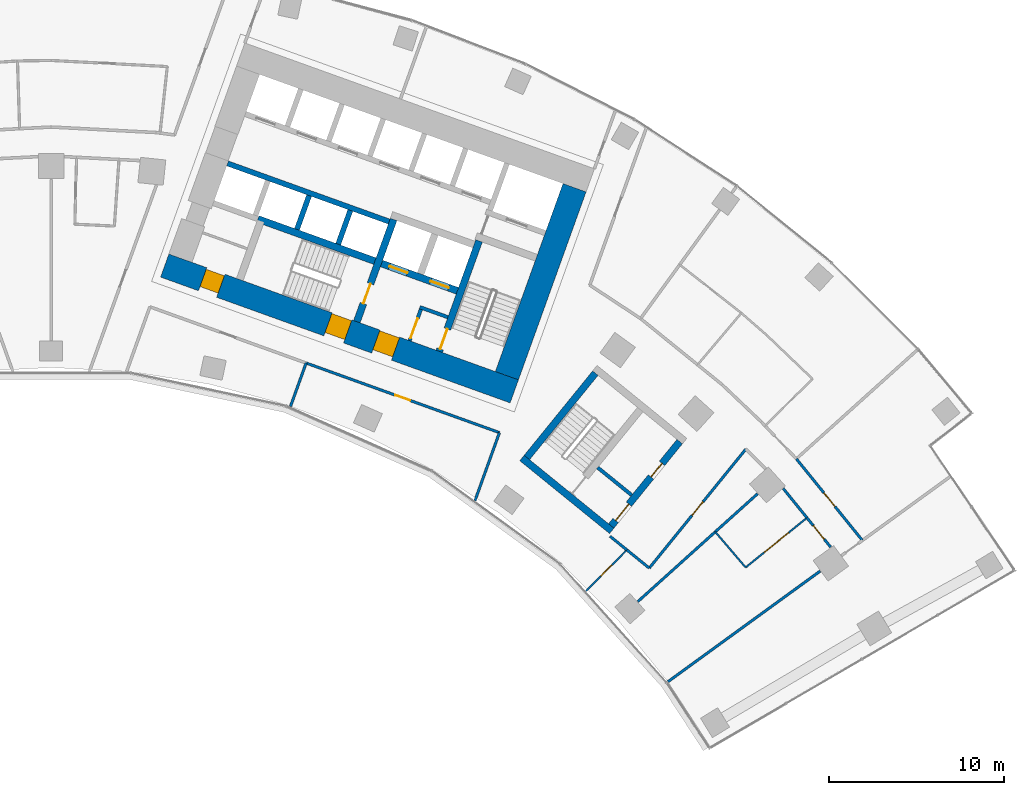
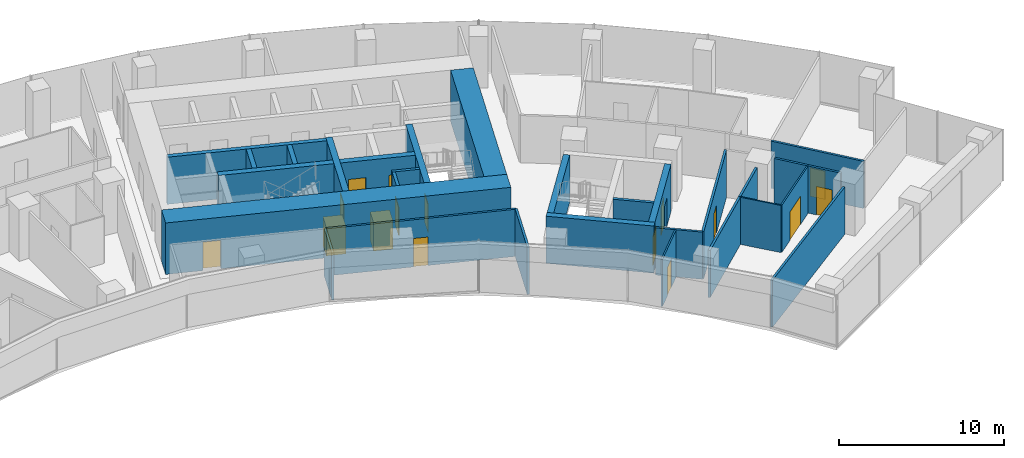
# One storey, part 17 of 21: 29 walls, 16 doors, 16 openings.
"""IFC4 building model written with IfcOpenShell, lengths in metres."""

from ifc_helpers import new_model, si_unit, direction, frame, frame_2d, origin, place, context, subcontext, project, spatial, rectangle, extrude, material, layer, layer_set, type_object, element, fill, save


model = new_model("IFC4")

# Units and contexts
model_context = context("Model", 3, precision=1e-05, world=origin(), true_north=direction((0.0, 1.0)))
body_context = subcontext(model_context, "Body", "Model", "MODEL_VIEW")
ifc_project = project(units=[si_unit("LENGTHUNIT", "METRE"), si_unit("AREAUNIT", "SQUARE_METRE"), si_unit("VOLUMEUNIT", "CUBIC_METRE"), si_unit("PLANEANGLEUNIT", "RADIAN"), si_unit("MASSUNIT", "GRAM", prefix="KILO")], contexts=[model_context])

# Site, building, storey
site_placement = place(None, origin())
site = spatial("IfcSite", under=ifc_project, at=site_placement, CompositionType="ELEMENT")
building_placement = place(site_placement, origin())
building = spatial("IfcBuilding", under=site, at=building_placement, Name="Stone Belt Terrace Tower", CompositionType="ELEMENT")
storey_placement = place(building_placement, frame((0.0, 0.0, 94.60009765625)))
storey = spatial("IfcBuildingStorey", under=building, at=storey_placement, Name="L22", CompositionType="ELEMENT", Elevation=94.60009765625)

# Wall, openings, doors
ifc_material_1 = material(Name="Concrete B80", Category="concrete")
ifc_layer_1 = layer(ifc_material_1, 1.39990234375)
ifc_layer_set_1 = layer_set([ifc_layer_1], Name="Core wall 1400 B80")
wall_type_1 = type_object("IfcWallType", Name="Core wall 1400 B80", PredefinedType="SHEAR", material=ifc_layer_set_1)
wall_1_placement = place(storey_placement, frame((6.4833984375, 49.318115234375, 0.0), z_axis=(0.0, 0.0, 1.0), x_axis=(0.940923374003, -0.33861955681, 0.0)))
wall_1 = element("IfcWall", 1, at=wall_1_placement, inside=storey, type_object=wall_type_1, Name="Core B wall concave L22", PredefinedType="SHEAR", context=body_context, shape_type="SweptSolid", body=[
    extrude(rectangle(XDim=21.199951171875, YDim=1.39990234375, at=frame_2d((10.60009765625, 0.0))), origin(), (0.0, 0.0, 1.0), 3.7998046875),
])
opening_1_placement = place(wall_1_placement, frame((12.800048828125, 0.0, 0.0)))
opening_1 = element("IfcOpeningElement", 2, at=opening_1_placement, cuts=wall_1, Name="Opening L22-C14", PredefinedType="OPENING", context=body_context, shape_type="SweptSolid", body=[
    extrude(rectangle(XDim=1.199951171875, YDim=2.10009765625, at=frame_2d((0.60009765625, 1.050048828125))), frame((0.0, 0.7099609375, 0.0), z_axis=(0.0, -1.0, 0.0), x_axis=(1.0, 0.0, 0.0)), (0.0, 0.0, 1.0), 1.419921875),
])
opening_2_placement = place(wall_1_placement, frame((9.89990234375, 0.0, 0.0)))
opening_2 = element("IfcOpeningElement", 3, at=opening_2_placement, cuts=wall_1, Name="Opening L22-C16", PredefinedType="OPENING", context=body_context, shape_type="SweptSolid", body=[
    extrude(rectangle(XDim=1.199951171875, YDim=2.10009765625, at=frame_2d((0.60009765625, 1.050048828125))), frame((0.0, 0.7099609375, 0.0), z_axis=(0.0, -1.0, 0.0), x_axis=(1.0, 0.0, 0.0)), (0.0, 0.0, 1.0), 1.419921875),
])
opening_3_placement = place(wall_1_placement, frame((2.300048828125, 0.0, 0.0)))
opening_3 = element("IfcOpeningElement", 4, at=opening_3_placement, cuts=wall_1, Name="Opening L22-C18", PredefinedType="OPENING", context=body_context, shape_type="SweptSolid", body=[
    extrude(rectangle(XDim=1.10009765625, YDim=2.10009765625, at=frame_2d((0.550048828125, 1.050048828125))), frame((0.0, 0.7099609375, 0.0), z_axis=(0.0, -1.0, 0.0), x_axis=(1.0, 0.0, 0.0)), (0.0, 0.0, 1.0), 1.419921875),
])
ifc_material_2 = material(Name="Timber door leaf", Category="wood")
door_type_1 = type_object("IfcDoorType", Name="Core room door 1100", OperationType="SINGLE_SWING_LEFT", PredefinedType="DOOR", material=ifc_material_2)
door_1_placement = place(opening_3_placement, origin())
door_1 = element("IfcDoor", 5, at=door_1_placement, inside=storey, type_object=door_type_1, Name="Door to Cleaner's store core B", OperationType="SINGLE_SWING_RIGHT", OverallHeight=2.10009765625, OverallWidth=1.10009765625, PredefinedType="DOOR", context=body_context, shape_type="SweptSolid", body=[
    extrude(rectangle(XDim=1.10009765625, YDim=2.10009765625, at=frame_2d((0.550048828125, 1.050048828125))), frame((0.0, 0.60498046875, 0.0), z_axis=(0.0, -1.0, 0.0), x_axis=(1.0, 0.0, 0.0)), (0.0, 0.0, 1.0), 1.050048828125),
])
fill(opening_3, door_1)
ifc_material_3 = material(Name="Steel door leaf", Category="steel")
door_type_2 = type_object("IfcDoorType", Name="Fire-fighting lobby door 1200", OperationType="SINGLE_SWING_LEFT", PredefinedType="DOOR", material=ifc_material_3)
door_2_placement = place(opening_1_placement, origin())
door_2 = element("IfcDoor", 6, at=door_2_placement, inside=storey, type_object=door_type_2, Name="Fire-fighting lobby door core B", OperationType="SINGLE_SWING_RIGHT", OverallHeight=2.10009765625, OverallWidth=1.199951171875, PredefinedType="DOOR", context=body_context, shape_type="SweptSolid", body=[
    extrude(rectangle(XDim=1.199951171875, YDim=2.10009765625, at=frame_2d((0.60009765625, 1.050048828125))), frame((0.0, 0.655029296875, 0.0), z_axis=(0.0, -1.0, 0.0), x_axis=(1.0, 0.0, 0.0)), (0.0, 0.0, 1.0), 1.14990234375),
])
fill(opening_1, door_2)
door_type_3 = type_object("IfcDoorType", Name="Stair door 1200", OperationType="SINGLE_SWING_LEFT", PredefinedType="DOOR", material=ifc_material_3)
door_3_placement = place(opening_2_placement, origin())
door_3 = element("IfcDoor", 7, at=door_3_placement, inside=storey, type_object=door_type_3, Name="Stair 2 exit door core B", OperationType="SINGLE_SWING_LEFT", OverallHeight=2.10009765625, OverallWidth=1.199951171875, PredefinedType="DOOR", context=body_context, shape_type="SweptSolid", body=[
    extrude(rectangle(XDim=1.199951171875, YDim=2.10009765625, at=frame_2d((0.60009765625, 1.050048828125))), frame((0.0, 0.655029296875, 0.0), z_axis=(0.0, -1.0, 0.0), x_axis=(1.0, 0.0, 0.0)), (0.0, 0.0, 1.0), 1.14990234375),
])
fill(opening_2, door_3)

# Walls
wall_2_placement = place(storey_placement, frame((26.00927734375, 43.03515625, 0.0), z_axis=(0.0, 0.0, 1.0), x_axis=(0.338625431531, 0.940921259788, 0.0)))
element("IfcWall", 8, at=wall_2_placement, inside=storey, type_object=wall_type_1, Name="Core B wall end_b L22", PredefinedType="SHEAR", context=body_context, shape_type="SweptSolid", body=[
    extrude(rectangle(XDim=11.400146484375, YDim=1.39990234375, at=frame_2d((5.7001953125, 0.0))), origin(), (0.0, 0.0, 1.0), 3.7998046875),
])
ifc_layer_2 = layer(ifc_material_1, 0.300048828125)
ifc_layer_set_2 = layer_set([ifc_layer_2], Name="Lift shaft wall 300")
wall_type_2 = type_object("IfcWallType", Name="Lift shaft wall 300", PredefinedType="SHEAR", material=ifc_layer_set_2)
wall_3_placement = place(storey_placement, frame((19.29052734375, 51.829833984375, 0.0), z_axis=(0.0, 0.0, 1.0), x_axis=(-0.940925833398, 0.338612722803, 0.0)))
element("IfcWall", 9, at=wall_3_placement, inside=storey, type_object=wall_type_2, Name="Core B wall", PredefinedType="SHEAR", context=body_context, shape_type="SweptSolid", body=[
    extrude(rectangle(XDim=9.7998046875, YDim=0.300048828125, at=frame_2d((4.89990234375, 0.0))), origin(), (0.0, 0.0, 1.0), 3.47998046875),
])
for number, where, z_axis, x_axis, name in (
    (10, (16.38134765625, 50.53857421875, 0.0), (0.0, 0.0, 1.0), (0.338681515556, 0.940901073982, 0.0), "Core B wall"),
    (11, (14.029052734375, 51.38525390625, 0.0), (0.0, 0.0, 1.0), (0.338681515556, 0.940901073982, 0.0), "Core B wall"),
):
    element("IfcWall", number, at=place(storey_placement, frame(where, z_axis=z_axis, x_axis=x_axis)), inside=storey, type_object=wall_type_2, Name=name, PredefinedType="SHEAR", context=body_context, shape_type="SweptSolid", body=[
        extrude(rectangle(XDim=2.050048828125, YDim=0.300048828125, at=frame_2d((1.02490234375, 0.0))), origin(), (0.0, 0.0, 1.0), 3.47998046875),
    ])

# Wall, opening, door
ifc_material_4 = material(Name="Gypsum board partition")
ifc_layer_3 = layer(ifc_material_4, 0.10009765625)
ifc_layer_set_3 = layer_set([ifc_layer_3], Name="PARTITION 100")
wall_type_3 = type_object("IfcWallType", Name="PARTITION 100", PredefinedType="PARTITIONING", material=ifc_layer_set_3)
wall_4_placement = place(storey_placement, frame((30.525634765625, 30.75146484375, 0.0), z_axis=(0.0, 0.0, 1.0), x_axis=(0.704663269443, 0.709541878043, 0.0)))
wall_4 = element("IfcWall", 12, at=wall_4_placement, inside=storey, type_object=wall_type_3, Name="L22/wall/i065", PredefinedType="PARTITIONING", context=body_context, shape_type="SweptSolid", body=[
    extrude(rectangle(XDim=3.302734375, YDim=0.10009765625, at=frame_2d((1.6513671875, 0.0))), origin(), (0.0, 0.0, 1.0), 3.47998046875),
])
opening_4_placement = place(wall_4_placement, frame((1.201416015625, 0.0, 0.0)))
opening_4 = element("IfcOpeningElement", 13, at=opening_4_placement, cuts=wall_4, Name="Opening D-B2-18", PredefinedType="OPENING", context=body_context, shape_type="SweptSolid", body=[
    extrude(rectangle(XDim=0.89990234375, YDim=2.10009765625, at=frame_2d((0.449951171875, 1.050048828125))), frame((0.0, 0.06005859375, 0.0), z_axis=(0.0, -1.0, 0.0), x_axis=(1.0, 0.0, 0.0)), (0.0, 0.0, 1.0), 0.1201171875),
])
door_type_4 = type_object("IfcDoorType", Name="OFFICE DOOR 900 X 2100", OperationType="NOTDEFINED", PredefinedType="DOOR", material=ifc_material_2)
door_4_placement = place(opening_4_placement, origin())
door_4 = element("IfcDoor", 14, at=door_4_placement, inside=storey, type_object=door_type_4, Name="L22/door/i18", OperationType="SINGLE_SWING_RIGHT", OverallHeight=2.10009765625, OverallWidth=0.89990234375, PredefinedType="DOOR", context=body_context, shape_type="SweptSolid", body=[
    extrude(rectangle(XDim=0.89990234375, YDim=2.10009765625, at=frame_2d((0.449951171875, 1.050048828125))), frame((0.0, 0.02490234375, 0.0), z_axis=(0.0, -1.0, 0.0), x_axis=(1.0, 0.0, 0.0)), (0.0, 0.0, 1.0), 0.050048828125),
])
fill(opening_4, door_4)

# Wall
wall_5_placement = place(storey_placement, frame((37.89892578125, 34.125, 0.0), z_axis=(0.0, 0.0, 1.0), x_axis=(0.649337184212, -0.760500638527, 0.0)))
element("IfcWall", 15, at=wall_5_placement, inside=storey, type_object=wall_type_3, Name="L22/wall/i068", PredefinedType="PARTITIONING", context=body_context, shape_type="SweptSolid", body=[
    extrude(rectangle(XDim=2.670654296875, YDim=0.10009765625, at=frame_2d((1.33544921875, 0.0))), origin(), (0.0, 0.0, 1.0), 3.47998046875),
])

# Wall, opening, door
wall_6_placement = place(storey_placement, frame((39.633056640625, 32.093994140625, 0.0), z_axis=(0.0, 0.0, 1.0), x_axis=(0.777214552356, 0.629235678904, 0.0)))
wall_6 = element("IfcWall", 16, at=wall_6_placement, inside=storey, type_object=wall_type_3, Name="L22/wall/i069", PredefinedType="PARTITIONING", context=body_context, shape_type="SweptSolid", body=[
    extrude(rectangle(XDim=4.500732421875, YDim=0.10009765625, at=frame_2d((2.25048828125, 0.0))), origin(), (0.0, 0.0, 1.0), 3.47998046875),
])
opening_5_placement = place(wall_6_placement, frame((1.350341796875, 0.0, 0.0)))
opening_5 = element("IfcOpeningElement", 17, at=opening_5_placement, cuts=wall_6, Name="Opening D-B2-20", PredefinedType="OPENING", context=body_context, shape_type="SweptSolid", body=[
    extrude(rectangle(XDim=1.800048828125, YDim=2.10009765625, at=frame_2d((0.89990234375, 1.050048828125))), frame((0.0, 0.06005859375, 0.0), z_axis=(0.0, -1.0, 0.0), x_axis=(1.0, 0.0, 0.0)), (0.0, 0.0, 1.0), 0.1201171875),
])
door_type_5 = type_object("IfcDoorType", Name="DOUBLE DOOR 1800 X 2100", OperationType="DOUBLE_DOOR_SINGLE_SWING", PredefinedType="DOOR", material=ifc_material_2)
door_5_placement = place(opening_5_placement, origin())
door_5 = element("IfcDoor", 18, at=door_5_placement, inside=storey, type_object=door_type_5, Name="L22/door/i20", OperationType="DOUBLE_DOOR_SINGLE_SWING", OverallHeight=2.10009765625, OverallWidth=1.800048828125, PredefinedType="DOOR", context=body_context, shape_type="SweptSolid", body=[
    extrude(rectangle(XDim=1.800048828125, YDim=2.10009765625, at=frame_2d((0.89990234375, 1.050048828125))), frame((0.0, 0.02490234375, 0.0), z_axis=(0.0, -1.0, 0.0), x_axis=(1.0, 0.0, 0.0)), (0.0, 0.0, 1.0), 0.050048828125),
])
fill(opening_5, door_5)

# Wall
ifc_layer_4 = layer(ifc_material_4, 0.14990234375)
ifc_layer_set_4 = layer_set([ifc_layer_4], Name="PARTITION 150 EI 60")
wall_type_4 = type_object("IfcWallType", Name="PARTITION 150 EI 60", PredefinedType="PARTITIONING", material=ifc_layer_set_4)
wall_7_placement = place(storey_placement, frame((24.1865234375, 35.90185546875, 0.0), z_axis=(0.0, 0.0, 1.0), x_axis=(0.338422574246, 0.940994240812, 0.0)))
element("IfcWall", 19, at=wall_7_placement, inside=storey, type_object=wall_type_4, Name="L22/wall/i020", PredefinedType="PARTITIONING", context=body_context, shape_type="SweptSolid", body=[
    extrude(rectangle(XDim=4.135009765625, YDim=0.14990234375, at=frame_2d((2.0673828125, 0.0))), origin(), (0.0, 0.0, 1.0), 3.47998046875),
])

# Wall, opening, door
wall_8_placement = place(storey_placement, frame((25.583984375, 39.787109375, 0.0), z_axis=(0.0, 0.0, 1.0), x_axis=(-0.94090942951, 0.33865830192, 0.0)))
wall_8 = element("IfcWall", 20, at=wall_8_placement, inside=storey, type_object=wall_type_4, Name="L22/wall/i024", PredefinedType="PARTITIONING", context=body_context, shape_type="SweptSolid", body=[
    extrude(rectangle(XDim=11.731201171875, YDim=0.14990234375, at=frame_2d((5.86572265625, 0.0))), origin(), (0.0, 0.0, 1.0), 3.47998046875),
])
opening_6_placement = place(wall_8_placement, frame((5.41552734375, 0.0, 0.0)))
opening_6 = element("IfcOpeningElement", 21, at=opening_6_placement, cuts=wall_8, Name="Opening D-B2-06", PredefinedType="OPENING", context=body_context, shape_type="SweptSolid", body=[
    extrude(rectangle(XDim=0.89990234375, YDim=2.10009765625, at=frame_2d((0.449951171875, 1.050048828125))), frame((0.0, 0.0849609375, 0.0), z_axis=(0.0, -1.0, 0.0), x_axis=(1.0, 0.0, 0.0)), (0.0, 0.0, 1.0), 0.169921875),
])
door_6_placement = place(opening_6_placement, origin())
door_6 = element("IfcDoor", 22, at=door_6_placement, inside=storey, type_object=door_type_4, Name="L22/door/i06", OperationType="SINGLE_SWING_RIGHT", OverallHeight=2.10009765625, OverallWidth=0.89990234375, PredefinedType="DOOR", context=body_context, shape_type="SweptSolid", body=[
    extrude(rectangle(XDim=0.89990234375, YDim=2.10009765625, at=frame_2d((0.449951171875, 1.050048828125))), frame((0.0, 0.02490234375, 0.0), z_axis=(0.0, -1.0, 0.0), x_axis=(1.0, 0.0, 0.0)), (0.0, 0.0, 1.0), 0.050048828125),
])
fill(opening_6, door_6)

# Walls
wall_9_placement = place(storey_placement, frame((14.552001953125, 43.758056640625, 0.0), z_axis=(0.0, 0.0, 1.0), x_axis=(-0.3386898551, -0.940898072084, 0.0)))
element("IfcWall", 23, at=wall_9_placement, inside=storey, type_object=wall_type_4, Name="L22/wall/i025", PredefinedType="PARTITIONING", context=body_context, shape_type="SweptSolid", body=[
    extrude(rectangle(XDim=2.62744140625, YDim=0.14990234375, at=frame_2d((1.313720703125, 0.0))), origin(), (0.0, 0.0, 1.0), 3.47998046875),
])
wall_10_placement = place(storey_placement, frame((35.192138671875, 25.568115234375, 0.0), z_axis=(0.0, 0.0, 1.0), x_axis=(0.809024841759, 0.587774451143, 0.0)))
element("IfcWall", 24, at=wall_10_placement, inside=storey, type_object=wall_type_4, Name="L22/wall/i050", PredefinedType="PARTITIONING", context=body_context, shape_type="SweptSolid", body=[
    extrude(rectangle(XDim=10.745361328125, YDim=0.14990234375, at=frame_2d((5.37255859375, 0.0))), origin(), (0.0, 0.0, 1.0), 3.47998046875),
])

# Wall, opening, door
wall_11_placement = place(storey_placement, frame((44.4853515625, 33.253662109375, 0.0), z_axis=(0.0, 0.0, 1.0), x_axis=(-0.629100575786, 0.777323912887, 0.0)))
wall_11 = element("IfcWall", 25, at=wall_11_placement, inside=storey, type_object=wall_type_4, Name="L22/wall/i057", PredefinedType="PARTITIONING", context=body_context, shape_type="SweptSolid", body=[
    extrude(rectangle(XDim=2.15771484375, YDim=0.14990234375, at=frame_2d((1.078857421875, 0.0))), origin(), (0.0, 0.0, 1.0), 3.47998046875),
])
opening_7_placement = place(wall_11_placement, frame((0.578857421875, 0.0, 0.0)))
opening_7 = element("IfcOpeningElement", 26, at=opening_7_placement, cuts=wall_11, Name="Opening D-B2-19", PredefinedType="OPENING", context=body_context, shape_type="SweptSolid", body=[
    extrude(rectangle(XDim=1.0, YDim=2.10009765625, at=frame_2d((0.5, 1.050048828125))), frame((0.0, 0.0849609375, 0.0), z_axis=(0.0, -1.0, 0.0), x_axis=(1.0, 0.0, 0.0)), (0.0, 0.0, 1.0), 0.169921875),
])
ifc_material_5 = material(Name="Timber fire door leaf", Category="wood")
door_type_6 = type_object("IfcDoorType", Name="TENANCY ENTRANCE DOOR 1000 X 2100", OperationType="NOTDEFINED", PredefinedType="DOOR", material=ifc_material_5)
door_7_placement = place(opening_7_placement, origin())
door_7 = element("IfcDoor", 27, at=door_7_placement, inside=storey, type_object=door_type_6, Name="L22/door/i19", OperationType="SINGLE_SWING_RIGHT", OverallHeight=2.10009765625, OverallWidth=1.0, PredefinedType="DOOR", context=body_context, shape_type="SweptSolid", body=[
    extrude(rectangle(XDim=1.0, YDim=2.10009765625, at=frame_2d((0.5, 1.050048828125))), frame((0.0, 0.02490234375, 0.0), z_axis=(0.0, -1.0, 0.0), x_axis=(1.0, 0.0, 0.0)), (0.0, 0.0, 1.0), 0.050048828125),
])
fill(opening_7, door_7)

# Wall
wall_12_placement = place(storey_placement, frame((43.135009765625, 34.922119140625, 0.0), z_axis=(0.0, 0.0, 1.0), x_axis=(-0.6292632951, 0.777192193373, 0.0)))
element("IfcWall", 28, at=wall_12_placement, inside=storey, type_object=wall_type_4, Name="L22/wall/i058", PredefinedType="PARTITIONING", context=body_context, shape_type="SweptSolid", body=[
    extrude(rectangle(XDim=2.15869140625, YDim=0.14990234375, at=frame_2d((1.079345703125, 0.0))), origin(), (0.0, 0.0, 1.0), 3.47998046875),
])

# Wall, opening, door
wall_13_placement = place(storey_placement, frame((42.527099609375, 38.2900390625, 0.0), z_axis=(0.0, 0.0, 1.0), x_axis=(0.629322532513, -0.77714422733, 0.0)))
wall_13 = element("IfcWall", 29, at=wall_13_placement, inside=storey, type_object=wall_type_4, Name="L22/wall/i061", PredefinedType="PARTITIONING", context=body_context, shape_type="SweptSolid", body=[
    extrude(rectangle(XDim=5.98876953125, YDim=0.14990234375, at=frame_2d((2.994384765625, 0.0))), origin(), (0.0, 0.0, 1.0), 3.47998046875),
])
opening_8_placement = place(wall_13_placement, frame((2.494384765625, 0.0, 0.0)))
opening_8 = element("IfcOpeningElement", 30, at=opening_8_placement, cuts=wall_13, Name="Opening D-B2-25", PredefinedType="OPENING", context=body_context, shape_type="SweptSolid", body=[
    extrude(rectangle(XDim=1.0, YDim=2.10009765625, at=frame_2d((0.5, 1.050048828125))), frame((0.0, 0.0849609375, 0.0), z_axis=(0.0, -1.0, 0.0), x_axis=(1.0, 0.0, 0.0)), (0.0, 0.0, 1.0), 0.169921875),
])
door_8_placement = place(opening_8_placement, origin())
door_8 = element("IfcDoor", 31, at=door_8_placement, inside=storey, type_object=door_type_6, Name="L22/door/i25", OperationType="SINGLE_SWING_RIGHT", OverallHeight=2.10009765625, OverallWidth=1.0, PredefinedType="DOOR", context=body_context, shape_type="SweptSolid", body=[
    extrude(rectangle(XDim=1.0, YDim=2.10009765625, at=frame_2d((0.5, 1.050048828125))), frame((0.0, 0.02490234375, 0.0), z_axis=(0.0, -1.0, 0.0), x_axis=(1.0, 0.0, 0.0)), (0.0, 0.0, 1.0), 0.050048828125),
])
fill(opening_8, door_8)

wall_14_placement = place(storey_placement, frame((39.64599609375, 38.84912109375, 0.0), z_axis=(0.0, 0.0, 1.0), x_axis=(-0.630141823003, -0.776480059566, 0.0)))
wall_14 = element("IfcWall", 32, at=wall_14_placement, inside=storey, type_object=wall_type_4, Name="L22/wall/i062", PredefinedType="PARTITIONING", context=body_context, shape_type="SweptSolid", body=[
    extrude(rectangle(XDim=8.748779296875, YDim=0.14990234375, at=frame_2d((4.37451171875, 0.0))), origin(), (0.0, 0.0, 1.0), 3.47998046875),
])
opening_9_placement = place(wall_14_placement, frame((3.874267578125, 0.0, 0.0)))
opening_9 = element("IfcOpeningElement", 33, at=opening_9_placement, cuts=wall_14, Name="Opening D-B2-17", PredefinedType="OPENING", context=body_context, shape_type="SweptSolid", body=[
    extrude(rectangle(XDim=1.0, YDim=2.10009765625, at=frame_2d((0.5, 1.050048828125))), frame((0.0, 0.0849609375, 0.0), z_axis=(0.0, -1.0, 0.0), x_axis=(1.0, 0.0, 0.0)), (0.0, 0.0, 1.0), 0.169921875),
])
door_9_placement = place(opening_9_placement, origin())
door_9 = element("IfcDoor", 34, at=door_9_placement, inside=storey, type_object=door_type_6, Name="L22/door/i17", OperationType="SINGLE_SWING_RIGHT", OverallHeight=2.10009765625, OverallWidth=1.0, PredefinedType="DOOR", context=body_context, shape_type="SweptSolid", body=[
    extrude(rectangle(XDim=1.0, YDim=2.10009765625, at=frame_2d((0.5, 1.050048828125))), frame((0.0, 0.02490234375, 0.0), z_axis=(0.0, -1.0, 0.0), x_axis=(1.0, 0.0, 0.0)), (0.0, 0.0, 1.0), 0.050048828125),
])
fill(opening_9, door_9)

# Walls
wall_15_placement = place(storey_placement, frame((34.133056640625, 32.055908203125, 0.0), z_axis=(0.0, 0.0, 1.0), x_axis=(-0.776109485964, 0.630598180933, 0.0)))
element("IfcWall", 35, at=wall_15_placement, inside=storey, type_object=wall_type_4, Name="L22/wall/i063", PredefinedType="PARTITIONING", context=body_context, shape_type="SweptSolid", body=[
    extrude(rectangle(XDim=1.654296875, YDim=0.14990234375, at=frame_2d((0.8271484375, 0.0))), origin(), (0.0, 0.0, 1.0), 3.47998046875),
])
wall_16_placement = place(storey_placement, frame((32.85693359375, 33.091064453125, 0.0), z_axis=(0.0, 0.0, 1.0), x_axis=(-0.776041989733, 0.63068124292, 0.0)))
element("IfcWall", 36, at=wall_16_placement, inside=storey, type_object=wall_type_4, Name="L22/wall/i064", PredefinedType="PARTITIONING", context=body_context, shape_type="SweptSolid", body=[
    extrude(rectangle(XDim=1.24462890625, YDim=0.14990234375, at=frame_2d((0.622314453125, 0.0))), origin(), (0.0, 0.0, 1.0), 3.47998046875),
])
wall_17_placement = place(storey_placement, frame((37.903076171875, 34.12890625, 0.0), z_axis=(0.0, 0.0, 1.0), x_axis=(-0.743104504011, -0.669175385171, 0.0)))
element("IfcWall", 37, at=wall_17_placement, inside=storey, type_object=wall_type_4, Name="L22/wall/i066", PredefinedType="PARTITIONING", context=body_context, shape_type="SweptSolid", body=[
    extrude(rectangle(XDim=5.9541015625, YDim=0.14990234375, at=frame_2d((2.97705078125, 0.0))), origin(), (0.0, 0.0, 1.0), 3.47998046875),
])
wall_18_placement = place(storey_placement, frame((40.311767578125, 36.29736328125, 0.0), z_axis=(0.0, 0.0, 1.0), x_axis=(-0.743245629646, -0.669018635026, 0.0)))
element("IfcWall", 38, at=wall_18_placement, inside=storey, type_object=wall_type_4, Name="L22/wall/i067", PredefinedType="PARTITIONING", context=body_context, shape_type="SweptSolid", body=[
    extrude(rectangle(XDim=3.2529296875, YDim=0.14990234375, at=frame_2d((1.62646484375, 0.0))), origin(), (0.0, 0.0, 1.0), 3.47998046875),
])
ifc_material_6 = material(Name="Concrete masonry block", Category="masonry")
ifc_layer_5 = layer(ifc_material_6, 0.199951171875)
ifc_layer_set_5 = layer_set([ifc_layer_5], Name="Rated lobby wall 200")
wall_type_5 = type_object("IfcWallType", Name="Rated lobby wall 200", PredefinedType="PARTITIONING", material=ifc_layer_set_5)
wall_19_placement = place(storey_placement, frame((22.640625, 46.373046875, 0.0), z_axis=(0.0, 0.0, 1.0), x_axis=(-0.940966110313, 0.338500781747, 0.0)))
element("IfcWall", 39, at=wall_19_placement, inside=storey, type_object=wall_type_5, Name="Core B wall", PredefinedType="PARTITIONING", context=body_context, shape_type="SweptSolid", body=[
    extrude(rectangle(XDim=1.699951171875, YDim=0.199951171875, at=frame_2d((0.85009765625, 0.0))), origin(), (0.0, 0.0, 1.0), 3.47998046875),
])

# Wall, opening, door
wall_20_placement = place(storey_placement, frame((20.4580078125, 45.032958984375, 0.0), z_axis=(0.0, 0.0, 1.0), x_axis=(0.338573865316, 0.940939816208, 0.0)))
wall_20 = element("IfcWall", 40, at=wall_20_placement, inside=storey, type_object=wall_type_5, Name="Core B wall", PredefinedType="PARTITIONING", context=body_context, shape_type="SweptSolid", body=[
    extrude(rectangle(XDim=1.900146484375, YDim=0.199951171875, at=frame_2d((0.9501953125, 0.0))), origin(), (0.0, 0.0, 1.0), 3.47998046875),
])
opening_10_placement = place(wall_20_placement, frame((0.14990234375, 0.0, 0.0)))
opening_10 = element("IfcOpeningElement", 41, at=opening_10_placement, cuts=wall_20, Name="Opening L22-C13", PredefinedType="OPENING", context=body_context, shape_type="SweptSolid", body=[
    extrude(rectangle(XDim=1.199951171875, YDim=2.10009765625, at=frame_2d((0.60009765625, 1.050048828125))), frame((0.0, 0.10986328125, 0.0), z_axis=(0.0, -1.0, 0.0), x_axis=(1.0, 0.0, 0.0)), (0.0, 0.0, 1.0), 0.219970703125),
])
door_10_placement = place(opening_10_placement, origin())
door_10 = element("IfcDoor", 42, at=door_10_placement, inside=storey, type_object=door_type_3, Name="Stair airlock door core B", OperationType="SINGLE_SWING_RIGHT", OverallHeight=2.10009765625, OverallWidth=1.199951171875, PredefinedType="DOOR", context=body_context, shape_type="SweptSolid", body=[
    extrude(rectangle(XDim=1.199951171875, YDim=2.10009765625, at=frame_2d((0.60009765625, 1.050048828125))), frame((0.0, 0.02490234375, 0.0), z_axis=(0.0, -1.0, 0.0), x_axis=(1.0, 0.0, 0.0)), (0.0, 0.0, 1.0), 0.050048828125),
])
fill(opening_10, door_10)

# Wall
wall_21_placement = place(storey_placement, frame((31.190673828125, 37.79296875, 0.0), z_axis=(0.0, 0.0, 1.0), x_axis=(0.776370830301, -0.630276394813, 0.0)))
element("IfcWall", 43, at=wall_21_placement, inside=storey, type_object=wall_type_5, Name="Exit stair ST3B wall", PredefinedType="PARTITIONING", context=body_context, shape_type="SweptSolid", body=[
    extrude(rectangle(XDim=2.5, YDim=0.199951171875, at=frame_2d((1.25, 0.0))), origin(), (0.0, 0.0, 1.0), 3.47998046875),
])

# Wall, opening, door
ifc_layer_6 = layer(ifc_material_1, 0.39990234375)
ifc_layer_set_6 = layer_set([ifc_layer_6], Name="Stair enclosure wall 400")
wall_type_6 = type_object("IfcWallType", Name="Stair enclosure wall 400", PredefinedType="SHEAR", material=ifc_layer_set_6)
wall_22_placement = place(storey_placement, frame((22.151611328125, 44.42333984375, 0.0), z_axis=(0.0, 0.0, 1.0), x_axis=(0.338625272931, 0.940921316866, 0.0)))
wall_22 = element("IfcWall", 44, at=wall_22_placement, inside=storey, type_object=wall_type_6, Name="Core B wall", PredefinedType="SHEAR", context=body_context, shape_type="SweptSolid", body=[
    extrude(rectangle(XDim=6.699951171875, YDim=0.39990234375, at=frame_2d((3.35009765625, 0.0))), origin(), (0.0, 0.0, 1.0), 3.47998046875),
])
opening_11_placement = place(wall_22_placement, frame((0.14990234375, 0.0, 0.0)))
opening_11 = element("IfcOpeningElement", 45, at=opening_11_placement, cuts=wall_22, Name="Opening L22-C12", PredefinedType="OPENING", context=body_context, shape_type="SweptSolid", body=[
    extrude(rectangle(XDim=1.199951171875, YDim=2.10009765625, at=frame_2d((0.60009765625, 1.050048828125))), frame((0.0, 0.2099609375, 0.0), z_axis=(0.0, -1.0, 0.0), x_axis=(1.0, 0.0, 0.0)), (0.0, 0.0, 1.0), 0.419921875),
])
door_11_placement = place(opening_11_placement, origin())
door_11 = element("IfcDoor", 46, at=door_11_placement, inside=storey, type_object=door_type_3, Name="Stair 1 door core B", OperationType="SINGLE_SWING_RIGHT", OverallHeight=2.10009765625, OverallWidth=1.199951171875, PredefinedType="DOOR", context=body_context, shape_type="SweptSolid", body=[
    extrude(rectangle(XDim=1.199951171875, YDim=2.10009765625, at=frame_2d((0.60009765625, 1.050048828125))), frame((0.0, 0.02490234375, 0.0), z_axis=(0.0, -1.0, 0.0), x_axis=(1.0, 0.0, 0.0)), (0.0, 0.0, 1.0), 0.050048828125),
])
fill(opening_11, door_11)

# Wall, openings, doors
wall_23_placement = place(storey_placement, frame((23.182373046875, 47.87841796875, 0.0), z_axis=(0.0, 0.0, 1.0), x_axis=(-0.940921101762, 0.338625870628, 0.0)))
wall_23 = element("IfcWall", 47, at=wall_23_placement, inside=storey, type_object=wall_type_6, Name="Core B wall", PredefinedType="SHEAR", context=body_context, shape_type="SweptSolid", body=[
    extrude(rectangle(XDim=12.10009765625, YDim=0.39990234375, at=frame_2d((6.050048828125, 0.0))), origin(), (0.0, 0.0, 1.0), 3.47998046875),
])
opening_12_placement = place(wall_23_placement, frame((0.52001953125, 0.0, 0.0)))
opening_12 = element("IfcOpeningElement", 48, at=opening_12_placement, cuts=wall_23, Name="Opening L22-LD16", PredefinedType="OPENING", context=body_context, shape_type="SweptSolid", body=[
    extrude(rectangle(XDim=1.10009765625, YDim=2.199951171875, at=frame_2d((0.550048828125, 1.10009765625))), frame((0.0, 0.2099609375, 0.0), z_axis=(0.0, -1.0, 0.0), x_axis=(1.0, 0.0, 0.0)), (0.0, 0.0, 1.0), 0.419921875),
])
opening_13_placement = place(wall_23_placement, frame((3.02001953125, 0.0, 0.0)))
opening_13 = element("IfcOpeningElement", 49, at=opening_13_placement, cuts=wall_23, Name="Opening L22-LD17", PredefinedType="OPENING", context=body_context, shape_type="SweptSolid", body=[
    extrude(rectangle(XDim=1.10009765625, YDim=2.199951171875, at=frame_2d((0.550048828125, 1.10009765625))), frame((0.0, 0.2099609375, 0.0), z_axis=(0.0, -1.0, 0.0), x_axis=(1.0, 0.0, 0.0)), (0.0, 0.0, 1.0), 0.419921875),
])
ifc_material_7 = material(Name="Stainless steel door leaf", Category="steel")
door_type_7 = type_object("IfcDoorType", Name="Landing door 1100", OperationType="SLIDING_TO_LEFT", PredefinedType="DOOR", material=ifc_material_7)
door_12_placement = place(opening_12_placement, origin())
door_12 = element("IfcDoor", 50, at=door_12_placement, inside=storey, type_object=door_type_7, Name="Landing door FF1 core B", OperationType="SLIDING_TO_LEFT", OverallHeight=2.199951171875, OverallWidth=1.10009765625, PredefinedType="DOOR", context=body_context, shape_type="SweptSolid", body=[
    extrude(rectangle(XDim=1.10009765625, YDim=2.199951171875, at=frame_2d((0.550048828125, 1.10009765625))), frame((0.0, 0.02490234375, 0.0), z_axis=(0.0, -1.0, 0.0), x_axis=(1.0, 0.0, 0.0)), (0.0, 0.0, 1.0), 0.050048828125),
])
fill(opening_12, door_12)
door_13_placement = place(opening_13_placement, origin())
door_13 = element("IfcDoor", 51, at=door_13_placement, inside=storey, type_object=door_type_7, Name="Landing door FF2 core B", OperationType="SLIDING_TO_LEFT", OverallHeight=2.199951171875, OverallWidth=1.10009765625, PredefinedType="DOOR", context=body_context, shape_type="SweptSolid", body=[
    extrude(rectangle(XDim=1.10009765625, YDim=2.199951171875, at=frame_2d((0.550048828125, 1.10009765625))), frame((0.0, 0.02490234375, 0.0), z_axis=(0.0, -1.0, 0.0), x_axis=(1.0, 0.0, 0.0)), (0.0, 0.0, 1.0), 0.050048828125),
])
fill(opening_13, door_13)

# Wall, opening, door
wall_24_placement = place(storey_placement, frame((17.447021484375, 46.116455078125, 0.0), z_axis=(0.0, 0.0, 1.0), x_axis=(0.33860791464, 0.940927563707, 0.0)))
wall_24 = element("IfcWall", 52, at=wall_24_placement, inside=storey, type_object=wall_type_6, Name="Core B wall", PredefinedType="SHEAR", context=body_context, shape_type="SweptSolid", body=[
    extrude(rectangle(XDim=6.199951171875, YDim=0.39990234375, at=frame_2d((3.10009765625, 0.0))), origin(), (0.0, 0.0, 1.0), 3.47998046875),
])
opening_14_placement = place(wall_24_placement, frame((1.10009765625, 0.0, 0.0)))
opening_14 = element("IfcOpeningElement", 53, at=opening_14_placement, cuts=wall_24, Name="Opening L22-C15", PredefinedType="OPENING", context=body_context, shape_type="SweptSolid", body=[
    extrude(rectangle(XDim=1.199951171875, YDim=2.10009765625, at=frame_2d((0.60009765625, 1.050048828125))), frame((0.0, 0.2099609375, 0.0), z_axis=(0.0, -1.0, 0.0), x_axis=(1.0, 0.0, 0.0)), (0.0, 0.0, 1.0), 0.419921875),
])
door_14_placement = place(opening_14_placement, origin())
door_14 = element("IfcDoor", 54, at=door_14_placement, inside=storey, type_object=door_type_3, Name="Stair 2 door core B", OperationType="SINGLE_SWING_RIGHT", OverallHeight=2.10009765625, OverallWidth=1.199951171875, PredefinedType="DOOR", context=body_context, shape_type="SweptSolid", body=[
    extrude(rectangle(XDim=1.199951171875, YDim=2.10009765625, at=frame_2d((0.60009765625, 1.050048828125))), frame((0.0, 0.02490234375, 0.0), z_axis=(0.0, -1.0, 0.0), x_axis=(1.0, 0.0, 0.0)), (0.0, 0.0, 1.0), 0.050048828125),
])
fill(opening_14, door_14)

# Walls
wall_25_placement = place(storey_placement, frame((26.868408203125, 38.3388671875, 0.0), z_axis=(0.0, 0.0, 1.0), x_axis=(0.776428452498, -0.630205409491, 0.0)))
element("IfcWall", 55, at=wall_25_placement, inside=storey, type_object=wall_type_6, Name="Exit stair ST3B wall", PredefinedType="SHEAR", context=body_context, shape_type="SweptSolid", body=[
    extrude(rectangle(XDim=6.60009765625, YDim=0.39990234375, at=frame_2d((3.300048828125, 0.0))), origin(), (0.0, 0.0, 1.0), 3.47998046875),
])
wall_26_placement = place(storey_placement, frame((27.149658203125, 38.3681640625, 0.0), z_axis=(0.0, 0.0, 1.0), x_axis=(0.630211551729, 0.776423466973, 0.0)))
element("IfcWall", 56, at=wall_26_placement, inside=storey, type_object=wall_type_6, Name="Exit stair ST3B wall", PredefinedType="SHEAR", context=body_context, shape_type="SweptSolid", body=[
    extrude(rectangle(XDim=6.199951171875, YDim=0.39990234375, at=frame_2d((3.10009765625, 0.0))), origin(), (0.0, 0.0, 1.0), 3.47998046875),
])

# Wall, openings, doors
wall_27_placement = place(storey_placement, frame((31.963623046875, 34.460693359375, 0.0), z_axis=(0.0, 0.0, 1.0), x_axis=(0.630192283849, 0.776439106033, 0.0)))
wall_27 = element("IfcWall", 57, at=wall_27_placement, inside=storey, type_object=wall_type_6, Name="Exit stair ST3B wall", PredefinedType="SHEAR", context=body_context, shape_type="SweptSolid", body=[
    extrude(rectangle(XDim=6.199951171875, YDim=0.39990234375, at=frame_2d((3.10009765625, 0.0))), origin(), (0.0, 0.0, 1.0), 3.47998046875),
])
opening_15_placement = place(wall_27_placement, frame((0.39990234375, 0.0, 0.0)))
opening_15 = element("IfcOpeningElement", 58, at=opening_15_placement, cuts=wall_27, Name="Opening L22-C23", PredefinedType="OPENING", context=body_context, shape_type="SweptSolid", body=[
    extrude(rectangle(XDim=1.199951171875, YDim=2.10009765625, at=frame_2d((0.60009765625, 1.050048828125))), frame((0.0, 0.2099609375, 0.0), z_axis=(0.0, -1.0, 0.0), x_axis=(1.0, 0.0, 0.0)), (0.0, 0.0, 1.0), 0.419921875),
])
opening_16_placement = place(wall_27_placement, frame((3.60009765625, 0.0, 0.0)))
opening_16 = element("IfcOpeningElement", 59, at=opening_16_placement, cuts=wall_27, Name="Opening L22-C24", PredefinedType="OPENING", context=body_context, shape_type="SweptSolid", body=[
    extrude(rectangle(XDim=1.0, YDim=2.10009765625, at=frame_2d((0.5, 1.050048828125))), frame((0.0, 0.2099609375, 0.0), z_axis=(0.0, -1.0, 0.0), x_axis=(1.0, 0.0, 0.0)), (0.0, 0.0, 1.0), 0.419921875),
])
door_type_8 = type_object("IfcDoorType", Name="Core room door 1000", OperationType="SINGLE_SWING_LEFT", PredefinedType="DOOR", material=ifc_material_2)
door_15_placement = place(opening_16_placement, origin())
door_15 = element("IfcDoor", 60, at=door_15_placement, inside=storey, type_object=door_type_8, Name="Door to stair pressurisation plant room ST3B", OperationType="SINGLE_SWING_LEFT", OverallHeight=2.10009765625, OverallWidth=1.0, PredefinedType="DOOR", context=body_context, shape_type="SweptSolid", body=[
    extrude(rectangle(XDim=1.0, YDim=2.10009765625, at=frame_2d((0.5, 1.050048828125))), frame((0.0, 0.02490234375, 0.0), z_axis=(0.0, -1.0, 0.0), x_axis=(1.0, 0.0, 0.0)), (0.0, 0.0, 1.0), 0.050048828125),
])
fill(opening_16, door_15)
door_type_9 = type_object("IfcDoorType", Name="Stair airlock door 1200", OperationType="SINGLE_SWING_LEFT", PredefinedType="DOOR", material=ifc_material_3)
door_16_placement = place(opening_15_placement, origin())
door_16 = element("IfcDoor", 61, at=door_16_placement, inside=storey, type_object=door_type_9, Name="Stair airlock door ST3B", OperationType="SINGLE_SWING_LEFT", OverallHeight=2.10009765625, OverallWidth=1.199951171875, PredefinedType="DOOR", context=body_context, shape_type="SweptSolid", body=[
    extrude(rectangle(XDim=1.199951171875, YDim=2.10009765625, at=frame_2d((0.60009765625, 1.050048828125))), frame((0.0, 0.02490234375, 0.0), z_axis=(0.0, -1.0, 0.0), x_axis=(1.0, 0.0, 0.0)), (0.0, 0.0, 1.0), 0.050048828125),
])
fill(opening_15, door_16)

save(model, "model.ifc")
